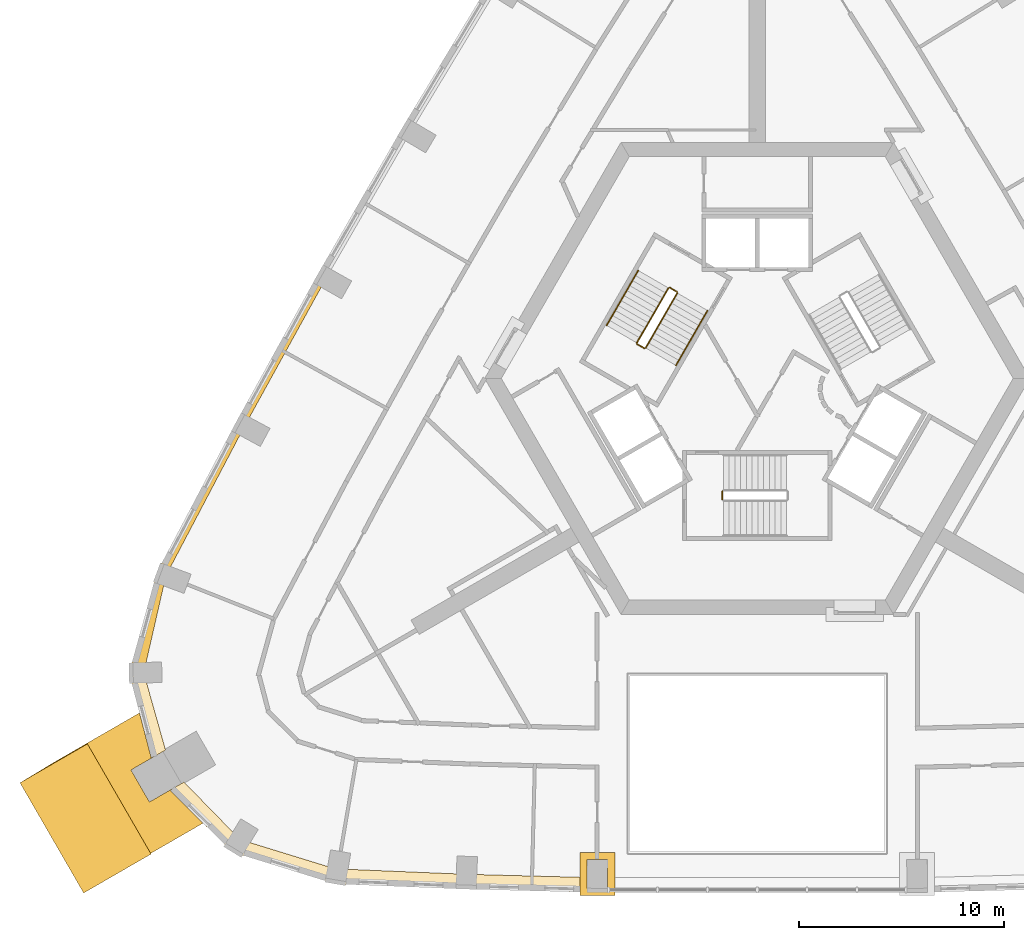
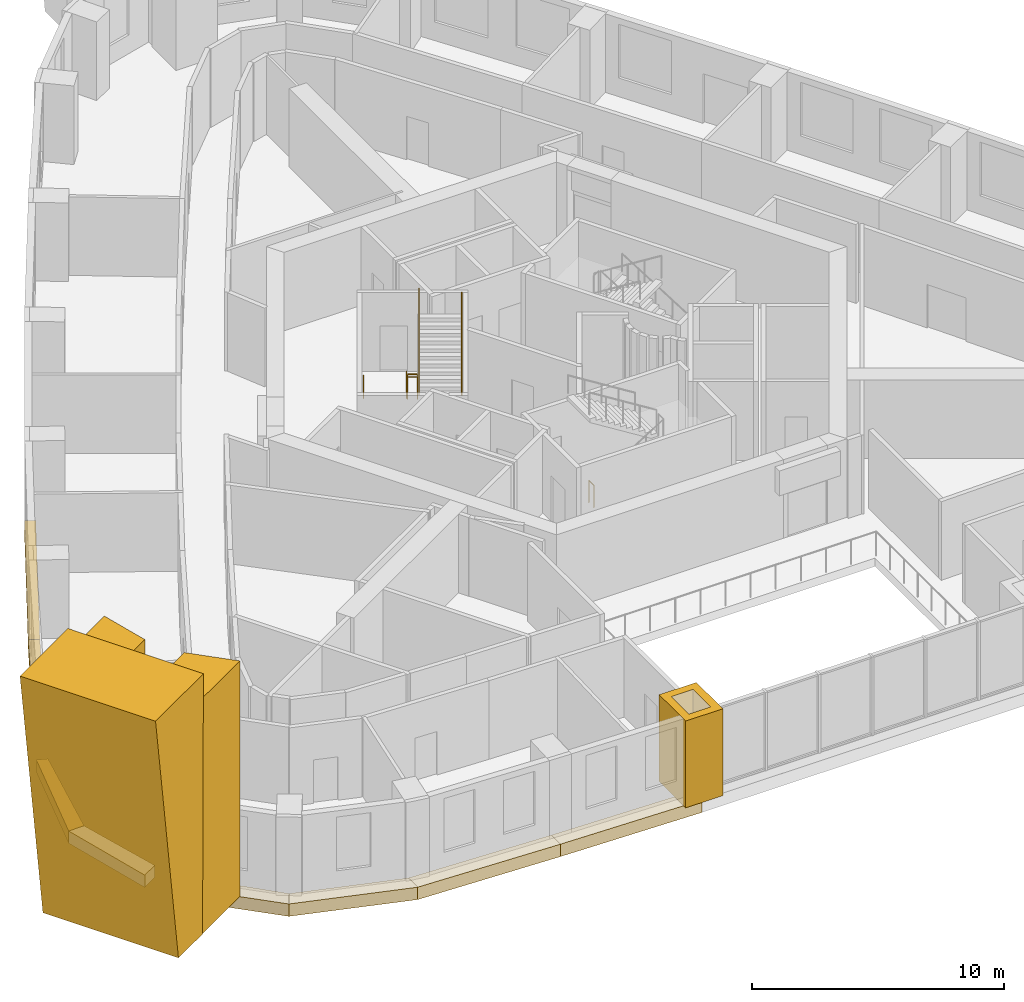
# One storey, part 11 of 13: 11 coverings, 7 railings.
"""IFC4 building model written with IfcOpenShell, lengths in metres."""

from ifc_helpers import new_model, si_unit, direction, frame, origin, origin_2d, place, context, subcontext, project, spatial, polyline, circle, outline, extrude, material, type_object, element, save


model = new_model("IFC4")

# Units and contexts
model_context = context("Model", 3, precision=1e-05, world=origin(), true_north=direction((0.0, 1.0)))
body_context = subcontext(model_context, "Body", "Model", "MODEL_VIEW")
ifc_project = project(units=[si_unit("LENGTHUNIT", "METRE"), si_unit("AREAUNIT", "SQUARE_METRE"), si_unit("VOLUMEUNIT", "CUBIC_METRE"), si_unit("PLANEANGLEUNIT", "RADIAN"), si_unit("MASSUNIT", "GRAM", prefix="KILO")], contexts=[model_context])

# Site, building, storey
site_placement = place(None, origin())
site = spatial("IfcSite", under=ifc_project, at=site_placement, CompositionType="ELEMENT")
building_placement = place(site_placement, origin())
building = spatial("IfcBuilding", under=site, at=building_placement, Name="Entoto Arch Interchange Tower", CompositionType="ELEMENT")
storey_placement = place(building_placement, frame((0.0, 0.0, 202.39990234375)))
storey = spatial("IfcBuildingStorey", under=building, at=storey_placement, Name="L45", CompositionType="ELEMENT", Elevation=202.39990234375)

# Coverings
ifc_material_1 = material(Name="Board-marked precast concrete C50/60", Category="concrete")
covering_type_1 = type_object("IfcCoveringType", Name="PRECAST FRAME COURSE", PredefinedType="CLADDING", material=ifc_material_1)
covering_1_placement = place(storey_placement, frame((0.0, 0.0, -0.39990234375)))
element("IfcCovering", 1, at=covering_1_placement, inside=storey, type_object=covering_type_1, Name="Corner pilaster SW L45-L47", PredefinedType="CLADDING", context=body_context, shape_type="SweptSolid", body=[
    extrude(outline(polyline([(-29.553955078125, -20.64306640625), (-32.654052734375, -15.27294921875), (-30.09912109375, -13.798095703125), (-29.52099609375, -16.0048828125), (-30.513916015625, -16.5791015625), (-29.614013671875, -18.136962890625), (-28.62109375, -17.56396484375), (-26.9990234375, -19.16796875), (-29.553955078125, -20.64306640625)])), origin(), (0.0, 0.0, 1.0), 11.39990234375),
])
covering_2_placement = place(storey_placement, frame((-32.654052734375, -15.27294921875, -0.39990234375), z_axis=(-0.500122743244, 0.865949305734, 0.00300692357), x_axis=(-0.86595322012, -0.500125004937, 2.78617e-07)))
element("IfcCovering", 2, at=covering_2_placement, inside=storey, type_object=covering_type_1, Name="Corner rib SW L45-L47", PredefinedType="CLADDING", context=body_context, shape_type="SweptSolid", body=[
    extrude(outline(polyline([(0.0, 0.0), (1.9113248043282942, 0.0), (3.7933004807188864, 12.600153562206563), (-3.197278892636416e-06, 12.600155151623), (0.0, 0.0)])), origin(), (0.0, 0.0, -1.0), 6.199951171875),
])
covering_3_placement = place(storey_placement, frame((0.0, 0.0, -0.39990234375)))
element("IfcCovering", 3, at=covering_3_placement, inside=storey, type_object=covering_type_1, Name="Gate pier L45", PredefinedType="CLADDING", context=body_context, shape_type="SweptSolid", body=[
    extrude(outline(polyline([(-8.637939453125, -20.593994140625), (-6.93798828125, -20.593994140625), (-6.93798828125, -22.694091796875), (-8.637939453125, -22.694091796875), (-8.637939453125, -20.593994140625)]), holes=[polyline([(-8.2880859375, -20.944091796875), (-8.2880859375, -22.343994140625), (-7.2880859375, -22.343994140625), (-7.2880859375, -20.944091796875), (-8.2880859375, -20.944091796875)])]), origin(), (0.0, 0.0, 1.0), 4.199951171875),
])
covering_type_2 = type_object("IfcCoveringType", Name="PRECAST LEDGE COURSE", PredefinedType="CLADDING", material=ifc_material_1)
covering_4_placement = place(storey_placement, frame((0.0, 0.0, -1.0)))
element("IfcCovering", 4, at=covering_4_placement, inside=storey, type_object=covering_type_2, Name="Precast course S-01 L45", PredefinedType="CLADDING", context=body_context, shape_type="SweptSolid", body=[
    extrude(outline(polyline([(-14.18505859375, -21.658935546875), (-14.18505859375, -22.383056640625), (-20.569091796875, -22.1279296875), (-20.569091796875, -21.39208984375), (-14.18505859375, -21.658935546875)])), origin(), (0.0, 0.0, 1.0), 0.60009765625),
])
covering_5_placement = place(storey_placement, frame((0.0, 0.0, -1.0)))
element("IfcCovering", 5, at=covering_5_placement, inside=storey, type_object=covering_type_2, Name="Precast course S-02 L45", PredefinedType="CLADDING", context=body_context, shape_type="SweptSolid", body=[
    extrude(outline(polyline([(-7.800048828125, -21.826904296875), (-7.800048828125, -22.5439453125), (-14.18505859375, -22.383056640625), (-14.18505859375, -21.658935546875), (-7.800048828125, -21.826904296875)])), origin(), (0.0, 0.0, 1.0), 0.60009765625),
])
covering_6_placement = place(storey_placement, frame((0.0, 0.0, -1.0)))
element("IfcCovering", 6, at=covering_6_placement, inside=storey, type_object=covering_type_2, Name="Precast course NW-04 L45", PredefinedType="CLADDING", context=body_context, shape_type="SweptSolid", body=[
    extrude(outline(polyline([(-24.97998046875, 0.16796875), (-25.383056640625, 0.385009765625), (-21.39892578125, 7.596923828125), (-21.006103515625, 7.3759765625), (-24.97998046875, 0.16796875)])), origin(), (0.0, 0.0, 1.0), 0.60009765625),
])
covering_7_placement = place(storey_placement, frame((0.0, 0.0, -1.0)))
element("IfcCovering", 7, at=covering_7_placement, inside=storey, type_object=covering_type_2, Name="Precast course NW-05 L45", PredefinedType="CLADDING", context=body_context, shape_type="SweptSolid", body=[
    extrude(outline(polyline([(-28.81103515625, -7.116943359375), (-29.256103515625, -6.951904296875), (-25.383056640625, 0.385009765625), (-24.97998046875, 0.16796875), (-28.81103515625, -7.116943359375)])), origin(), (0.0, 0.0, 1.0), 0.60009765625),
])
covering_8_placement = place(storey_placement, frame((0.0, 0.0, -1.0)))
element("IfcCovering", 8, at=covering_8_placement, inside=storey, type_object=covering_type_2, Name="Precast course SW-01 L45", PredefinedType="CLADDING", context=body_context, shape_type="SweptSolid", body=[
    extrude(outline(polyline([(-29.889892578125, -11.837890625), (-30.60693359375, -11.85595703125), (-29.256103515625, -6.951904296875), (-28.81103515625, -7.116943359375), (-29.889892578125, -11.837890625)])), origin(), (0.0, 0.0, 1.0), 0.60009765625),
])
covering_9_placement = place(storey_placement, frame((0.0, 0.0, -1.0)))
element("IfcCovering", 9, at=covering_9_placement, inside=storey, type_object=covering_type_2, Name="Precast course SW-02 L45", PredefinedType="CLADDING", context=body_context, shape_type="SweptSolid", body=[
    extrude(outline(polyline([(-28.830078125, -15.60595703125), (-29.52099609375, -16.0048828125), (-30.60693359375, -11.85595703125), (-29.889892578125, -11.837890625), (-28.830078125, -15.60595703125)])), origin(), (0.0, 0.0, 1.0), 0.60009765625),
])
covering_10_placement = place(storey_placement, frame((0.0, 0.0, -1.0)))
element("IfcCovering", 10, at=covering_10_placement, inside=storey, type_object=covering_type_2, Name="Precast course SW-03 L45", PredefinedType="CLADDING", context=body_context, shape_type="SweptSolid", body=[
    extrude(outline(polyline([(-25.197021484375, -19.967041015625), (-25.571044921875, -20.5791015625), (-28.6220703125, -17.56396484375), (-27.929931640625, -17.1650390625), (-25.197021484375, -19.967041015625)])), origin(), (0.0, 0.0, 1.0), 0.60009765625),
])
covering_11_placement = place(storey_placement, frame((0.0, 0.0, -1.0)))
element("IfcCovering", 11, at=covering_11_placement, inside=storey, type_object=covering_type_2, Name="Precast course SW-04 L45", PredefinedType="CLADDING", context=body_context, shape_type="SweptSolid", body=[
    extrude(outline(polyline([(-20.569091796875, -21.39208984375), (-20.569091796875, -22.1279296875), (-25.571044921875, -20.5791015625), (-25.197021484375, -19.967041015625), (-20.569091796875, -21.39208984375)])), origin(), (0.0, 0.0, 1.0), 0.60009765625),
])

# Railings
ifc_material_2 = material(Name="Stainless steel 1.4301", Category="steel")
railing_type_1 = type_object("IfcRailingType", Name="STAIR GUARD 1100 STEEL", PredefinedType="GUARDRAIL", material=ifc_material_2)
railing_1_placement = place(storey_placement, frame((-1.699951171875, -3.39990234375, 0.0)))
element("IfcRailing", 12, at=railing_1_placement, inside=storey, type_object=railing_type_1, Name="L45 ST-S stair guard 4", PredefinedType="GUARDRAIL", context=body_context, shape_type="SweptSolid", body=[
    extrude(circle(Radius=0.02392578125, at=origin_2d()), frame((0.0, 0.0, 1.076171875), z_axis=(0.0, 1.0, 0.0), x_axis=(-1.0, 0.0, 0.0)), (0.0, 0.0, 1.0), 0.39990234375),
    extrude(circle(Radius=0.02099609375, at=origin_2d()), origin(), (0.0, 0.0, 1.0), 1.052001953125),
    extrude(circle(Radius=0.02099609375, at=origin_2d()), frame((0.0, 0.39990234375, 0.0)), (0.0, 0.0, 1.0), 1.052001953125),
])
railing_2_placement = place(storey_placement, frame((-4.327880859375, 6.904052734375, 0.175048828125)))
element("IfcRailing", 13, at=railing_2_placement, inside=storey, type_object=railing_type_1, Name="L45 ST-NW stair guard 1", PredefinedType="GUARDRAIL", context=body_context, shape_type="SweptSolid", body=[
    extrude(circle(Radius=0.02392578125, at=origin_2d()), frame((0.0, 0.0, 1.076171875), z_axis=(-0.423994474112, -0.734394994316, 0.52999309264), x_axis=(0.866029832698, -0.499992328818, 0.0)), (0.0, 0.0, 1.0), 3.63232421875),
    extrude(circle(Radius=0.02099609375, at=origin_2d()), origin(), (0.0, 0.0, 1.0), 1.052001953125),
    extrude(circle(Radius=0.02099609375, at=origin_2d()), frame((-0.385009765625, -0.6669921875, 0.481201171875)), (0.0, 0.0, 1.0), 1.052001953125),
    extrude(circle(Radius=0.02099609375, at=origin_2d()), frame((-0.77001953125, -1.333740234375, 0.96240234375)), (0.0, 0.0, 1.0), 1.052001953125),
    extrude(circle(Radius=0.02099609375, at=origin_2d()), frame((-1.155029296875, -2.00048828125, 1.44384765625)), (0.0, 0.0, 1.0), 1.052001953125),
    extrude(circle(Radius=0.02099609375, at=origin_2d()), frame((-1.5400390625, -2.66748046875, 1.925048828125)), (0.0, 0.0, 1.0), 1.052001953125),
])
railing_3_placement = place(storey_placement, frame((-5.849609375, 4.168212890625, 2.10009765625)))
element("IfcRailing", 14, at=railing_3_placement, inside=storey, type_object=railing_type_1, Name="L45 ST-NW stair guard 2", PredefinedType="GUARDRAIL", context=body_context, shape_type="SweptSolid", body=[
    extrude(circle(Radius=0.02392578125, at=origin_2d()), frame((0.0, 0.0, 1.076171875), z_axis=(0.866094119867, -0.499880961361, 0.0), x_axis=(0.499880961361, 0.866094119867, 0.0)), (0.0, 0.0, 1.0), 0.39990234375),
    extrude(circle(Radius=0.02099609375, at=origin_2d()), origin(), (0.0, 0.0, 1.0), 1.052001953125),
    extrude(circle(Radius=0.02099609375, at=origin_2d()), frame((0.346435546875, -0.199951171875, 0.0)), (0.0, 0.0, 1.0), 1.052001953125),
])
railing_4_placement = place(storey_placement, frame((-5.434814453125, 3.986572265625, 2.275146484375)))
element("IfcRailing", 15, at=railing_4_placement, inside=storey, type_object=railing_type_1, Name="L45 ST-NW stair guard 3", PredefinedType="GUARDRAIL", context=body_context, shape_type="SweptSolid", body=[
    extrude(circle(Radius=0.02392578125, at=origin_2d()), frame((0.0, 0.0, 1.076171875), z_axis=(0.423994474112, 0.734394994316, 0.52999309264), x_axis=(-0.866029832698, 0.499992328818, 0.0)), (0.0, 0.0, 1.0), 3.63232421875),
    extrude(circle(Radius=0.02099609375, at=origin_2d()), origin(), (0.0, 0.0, 1.0), 1.052001953125),
    extrude(circle(Radius=0.02099609375, at=origin_2d()), frame((0.385009765625, 0.6669921875, 0.481201171875)), (0.0, 0.0, 1.0), 1.052001953125),
    extrude(circle(Radius=0.02099609375, at=origin_2d()), frame((0.77001953125, 1.333740234375, 0.96240234375)), (0.0, 0.0, 1.0), 1.052001953125),
    extrude(circle(Radius=0.02099609375, at=origin_2d()), frame((1.155029296875, 2.00048828125, 1.44384765625)), (0.0, 0.0, 1.0), 1.052001953125),
    extrude(circle(Radius=0.02099609375, at=origin_2d()), frame((1.5400390625, 2.66748046875, 1.925048828125)), (0.0, 0.0, 1.0), 1.052001953125),
])
railing_5_placement = place(storey_placement, frame((-4.259521484375, 6.92236328125, 0.0)))
element("IfcRailing", 16, at=railing_5_placement, inside=storey, type_object=railing_type_1, Name="L45 ST-NW stair guard 4", PredefinedType="GUARDRAIL", context=body_context, shape_type="SweptSolid", body=[
    extrude(circle(Radius=0.02392578125, at=origin_2d()), frame((0.0, 0.0, 1.076171875), z_axis=(0.865829829939, -0.500338590944, 0.0), x_axis=(0.500338590944, 0.865829829939, 0.0)), (0.0, 0.0, 1.0), 0.400146484375),
    extrude(circle(Radius=0.02099609375, at=origin_2d()), origin(), (0.0, 0.0, 1.0), 1.052001953125),
    extrude(circle(Radius=0.02099609375, at=origin_2d()), frame((0.346435546875, -0.2001953125, 0.0)), (0.0, 0.0, 1.0), 1.052001953125),
])
railing_type_2 = type_object("IfcRailingType", Name="STAIR HANDRAIL 900 STEEL", PredefinedType="HANDRAIL", material=ifc_material_2)
railing_6_placement = place(storey_placement, frame((-5.800048828125, 7.75390625, 0.175048828125)))
element("IfcRailing", 17, at=railing_6_placement, inside=storey, type_object=railing_type_2, Name="L45 ST-NW stair handrail 1", PredefinedType="HANDRAIL", context=body_context, shape_type="SweptSolid", body=[
    extrude(circle(Radius=0.02392578125, at=origin_2d()), frame((0.0, 0.0, 0.8759765625), z_axis=(-0.424015404183, -0.734364028329, 0.530019255228), x_axis=(0.866010015463, -0.500026652407, 0.0)), (0.0, 0.0, 1.0), 3.632080078125),
    extrude(circle(Radius=0.02099609375, at=origin_2d()), origin(), (0.0, 0.0, 1.0), 0.851806640625),
    extrude(circle(Radius=0.02099609375, at=origin_2d()), frame((-0.385009765625, -0.666748046875, 0.481201171875)), (0.0, 0.0, 1.0), 0.851806640625),
    extrude(circle(Radius=0.02099609375, at=origin_2d()), frame((-0.77001953125, -1.33349609375, 0.96240234375)), (0.0, 0.0, 1.0), 0.851806640625),
    extrude(circle(Radius=0.02099609375, at=origin_2d()), frame((-1.155029296875, -2.00048828125, 1.44384765625)), (0.0, 0.0, 1.0), 0.851806640625),
    extrude(circle(Radius=0.02099609375, at=origin_2d()), frame((-1.5400390625, -2.667236328125, 1.925048828125)), (0.0, 0.0, 1.0), 0.851806640625),
])
railing_7_placement = place(storey_placement, frame((-3.962646484375, 3.136474609375, 2.275146484375)))
element("IfcRailing", 18, at=railing_7_placement, inside=storey, type_object=railing_type_2, Name="L45 ST-NW stair handrail 2", PredefinedType="HANDRAIL", context=body_context, shape_type="SweptSolid", body=[
    extrude(circle(Radius=0.02392578125, at=origin_2d()), frame((0.0, 0.0, 0.8759765625), z_axis=(0.423994474112, 0.734394994316, 0.52999309264), x_axis=(-0.866029832698, 0.499992328818, 0.0)), (0.0, 0.0, 1.0), 3.63232421875),
    extrude(circle(Radius=0.02099609375, at=origin_2d()), origin(), (0.0, 0.0, 1.0), 0.851806640625),
    extrude(circle(Radius=0.02099609375, at=origin_2d()), frame((0.385009765625, 0.6669921875, 0.481201171875)), (0.0, 0.0, 1.0), 0.851806640625),
    extrude(circle(Radius=0.02099609375, at=origin_2d()), frame((0.77001953125, 1.333740234375, 0.96240234375)), (0.0, 0.0, 1.0), 0.851806640625),
    extrude(circle(Radius=0.02099609375, at=origin_2d()), frame((1.155029296875, 2.00048828125, 1.44384765625)), (0.0, 0.0, 1.0), 0.851806640625),
    extrude(circle(Radius=0.02099609375, at=origin_2d()), frame((1.5400390625, 2.66748046875, 1.925048828125)), (0.0, 0.0, 1.0), 0.851806640625),
])

save(model, "model.ifc")
